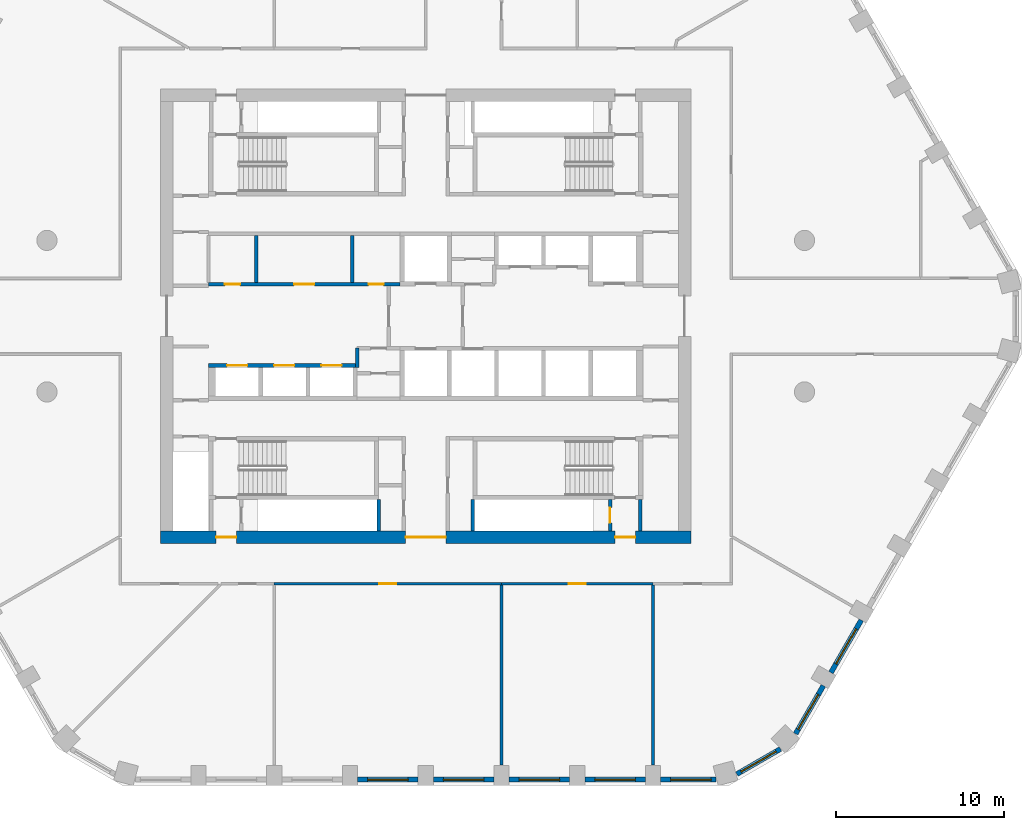
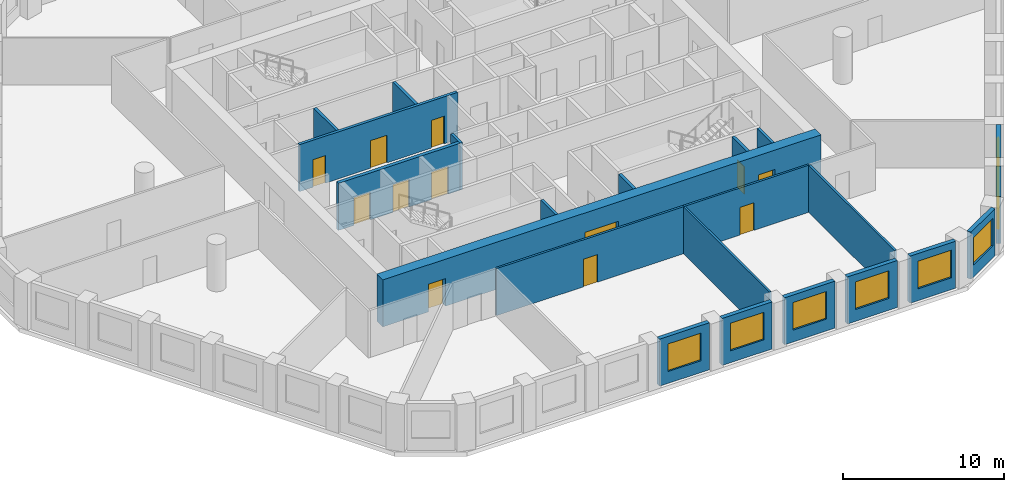
# One storey, part 3 of 9: 22 walls, 12 doors, 8 windows, 20 openings.
"""IFC4 building model written with IfcOpenShell, lengths in metres."""

from ifc_helpers import new_model, si_unit, direction, frame, frame_2d, origin, place, context, subcontext, project, spatial, rectangle, extrude, material, layer, layer_set, type_object, element, fill, save


model = new_model("IFC4")

# Units and contexts
model_context = context("Model", 3, precision=1e-05, world=origin(), true_north=direction((0.0, 1.0)))
body_context = subcontext(model_context, "Body", "Model", "MODEL_VIEW")
ifc_project = project(units=[si_unit("LENGTHUNIT", "METRE"), si_unit("AREAUNIT", "SQUARE_METRE"), si_unit("VOLUMEUNIT", "CUBIC_METRE"), si_unit("PLANEANGLEUNIT", "RADIAN"), si_unit("MASSUNIT", "GRAM", prefix="KILO")], contexts=[model_context])

# Site, building, storey
site_placement = place(None, origin())
site = spatial("IfcSite", under=ifc_project, at=site_placement, CompositionType="ELEMENT")
building_placement = place(site_placement, origin())
building = spatial("IfcBuilding", under=site, at=building_placement, Name="Dhurran Vertical Campus", CompositionType="ELEMENT")
storey_placement = place(building_placement, frame((0.0, 0.0, 163.800048828125)))
storey = spatial("IfcBuildingStorey", under=building, at=storey_placement, Name="L40", CompositionType="ELEMENT", Elevation=163.800048828125)

# Wall, opening, window
ifc_material_1 = material(Name="Precast concrete C50/60", Category="concrete")
ifc_layer_1 = layer(ifc_material_1, 0.300048828125)
ifc_layer_set_1 = layer_set([ifc_layer_1], Name="Precast concrete C50/60")
wall_type_1 = type_object("IfcWallType", Name="Precast spandrel wall 300", PredefinedType="SOLIDWALL", material=ifc_layer_set_1)
wall_1_placement = place(storey_placement, frame((-4.049560546875, -27.53271484375, 0.0), z_axis=(0.0, 0.0, 1.0), x_axis=(1.0, 0.0, 0.0)))
wall_1 = element("IfcWall", 1, at=wall_1_placement, inside=storey, type_object=wall_type_1, Name="EW1 L40.03", PredefinedType="SOLIDWALL", context=body_context, shape_type="SweptSolid", body=[
    extrude(rectangle(XDim=3.59912109375, YDim=0.300048828125, at=frame_2d((1.799560546875, 0.0))), origin(), (0.0, 0.0, 1.0), 3.574951171875),
])
opening_1_placement = place(wall_1_placement, frame((0.599609375, 0.0, 0.89990234375)))
opening_1 = element("IfcOpeningElement", 2, at=opening_1_placement, cuts=wall_1, Name="Opening WT1", PredefinedType="OPENING", context=body_context, shape_type="SweptSolid", body=[
    extrude(rectangle(XDim=2.39990234375, YDim=2.10009765625, at=frame_2d((1.199951171875, 1.050048828125))), frame((0.0, 0.159912109375, 0.0), z_axis=(0.0, -1.0, 0.0), x_axis=(1.0, 0.0, 0.0)), (0.0, 0.0, 1.0), 0.320068359375),
])
ifc_material_2 = material(Name="Aluminium frame with solar-control glass", Category="aluminium")
window_type = type_object("IfcWindowType", Name="Punched window 2400 x 2100", PartitioningType="SINGLE_PANEL", PredefinedType="WINDOW", material=ifc_material_2)
window_1_placement = place(opening_1_placement, origin())
window_1 = element("IfcWindow", 3, at=window_1_placement, inside=storey, type_object=window_type, Name="WT1 L40.03", OverallHeight=2.10009765625, OverallWidth=2.39990234375, PartitioningType="SINGLE_PANEL", PredefinedType="WINDOW", context=body_context, shape_type="SweptSolid", body=[
    extrude(rectangle(XDim=2.39990234375, YDim=2.10009765625, at=frame_2d((1.199951171875, 1.050048828125))), frame((0.0, 0.030029296875, 0.0), z_axis=(0.0, -1.0, 0.0), x_axis=(1.0, 0.0, 0.0)), (0.0, 0.0, 1.0), 0.06005859375),
])
fill(opening_1, window_1)

wall_2_placement = place(storey_placement, frame((0.450439453125, -27.53271484375, 0.0), z_axis=(0.0, 0.0, 1.0), x_axis=(1.0, 0.0, 0.0)))
wall_2 = element("IfcWall", 4, at=wall_2_placement, inside=storey, type_object=wall_type_1, Name="EW1 L40.04", PredefinedType="SOLIDWALL", context=body_context, shape_type="SweptSolid", body=[
    extrude(rectangle(XDim=3.59912109375, YDim=0.300048828125, at=frame_2d((1.799560546875, 0.0))), origin(), (0.0, 0.0, 1.0), 3.574951171875),
])
opening_2_placement = place(wall_2_placement, frame((0.599609375, 0.0, 0.89990234375)))
opening_2 = element("IfcOpeningElement", 5, at=opening_2_placement, cuts=wall_2, Name="Opening WT1", PredefinedType="OPENING", context=body_context, shape_type="SweptSolid", body=[
    extrude(rectangle(XDim=2.39990234375, YDim=2.10009765625, at=frame_2d((1.199951171875, 1.050048828125))), frame((0.0, 0.159912109375, 0.0), z_axis=(0.0, -1.0, 0.0), x_axis=(1.0, 0.0, 0.0)), (0.0, 0.0, 1.0), 0.320068359375),
])
window_2_placement = place(opening_2_placement, origin())
window_2 = element("IfcWindow", 6, at=window_2_placement, inside=storey, type_object=window_type, Name="WT1 L40.04", OverallHeight=2.10009765625, OverallWidth=2.39990234375, PartitioningType="SINGLE_PANEL", PredefinedType="WINDOW", context=body_context, shape_type="SweptSolid", body=[
    extrude(rectangle(XDim=2.39990234375, YDim=2.10009765625, at=frame_2d((1.199951171875, 1.050048828125))), frame((0.0, 0.030029296875, 0.0), z_axis=(0.0, -1.0, 0.0), x_axis=(1.0, 0.0, 0.0)), (0.0, 0.0, 1.0), 0.06005859375),
])
fill(opening_2, window_2)

wall_3_placement = place(storey_placement, frame((4.950439453125, -27.53271484375, 0.0), z_axis=(0.0, 0.0, 1.0), x_axis=(1.0, 0.0, 0.0)))
wall_3 = element("IfcWall", 7, at=wall_3_placement, inside=storey, type_object=wall_type_1, Name="EW1 L40.05", PredefinedType="SOLIDWALL", context=body_context, shape_type="SweptSolid", body=[
    extrude(rectangle(XDim=3.59912109375, YDim=0.300048828125, at=frame_2d((1.799560546875, 0.0))), origin(), (0.0, 0.0, 1.0), 3.574951171875),
])
opening_3_placement = place(wall_3_placement, frame((0.599609375, 0.0, 0.89990234375)))
opening_3 = element("IfcOpeningElement", 8, at=opening_3_placement, cuts=wall_3, Name="Opening WT1", PredefinedType="OPENING", context=body_context, shape_type="SweptSolid", body=[
    extrude(rectangle(XDim=2.39990234375, YDim=2.10009765625, at=frame_2d((1.199951171875, 1.050048828125))), frame((0.0, 0.159912109375, 0.0), z_axis=(0.0, -1.0, 0.0), x_axis=(1.0, 0.0, 0.0)), (0.0, 0.0, 1.0), 0.320068359375),
])
window_3_placement = place(opening_3_placement, origin())
window_3 = element("IfcWindow", 9, at=window_3_placement, inside=storey, type_object=window_type, Name="WT1 L40.05", OverallHeight=2.10009765625, OverallWidth=2.39990234375, PartitioningType="SINGLE_PANEL", PredefinedType="WINDOW", context=body_context, shape_type="SweptSolid", body=[
    extrude(rectangle(XDim=2.39990234375, YDim=2.10009765625, at=frame_2d((1.199951171875, 1.050048828125))), frame((0.0, 0.030029296875, 0.0), z_axis=(0.0, -1.0, 0.0), x_axis=(1.0, 0.0, 0.0)), (0.0, 0.0, 1.0), 0.06005859375),
])
fill(opening_3, window_3)

wall_4_placement = place(storey_placement, frame((9.450439453125, -27.53271484375, 0.0), z_axis=(0.0, 0.0, 1.0), x_axis=(1.0, 0.0, 0.0)))
wall_4 = element("IfcWall", 10, at=wall_4_placement, inside=storey, type_object=wall_type_1, Name="EW1 L40.06", PredefinedType="SOLIDWALL", context=body_context, shape_type="SweptSolid", body=[
    extrude(rectangle(XDim=3.59912109375, YDim=0.300048828125, at=frame_2d((1.799560546875, 0.0))), origin(), (0.0, 0.0, 1.0), 3.574951171875),
])
opening_4_placement = place(wall_4_placement, frame((0.599609375, 0.0, 0.89990234375)))
opening_4 = element("IfcOpeningElement", 11, at=opening_4_placement, cuts=wall_4, Name="Opening WT1", PredefinedType="OPENING", context=body_context, shape_type="SweptSolid", body=[
    extrude(rectangle(XDim=2.39990234375, YDim=2.10009765625, at=frame_2d((1.199951171875, 1.050048828125))), frame((0.0, 0.159912109375, 0.0), z_axis=(0.0, -1.0, 0.0), x_axis=(1.0, 0.0, 0.0)), (0.0, 0.0, 1.0), 0.320068359375),
])
window_4_placement = place(opening_4_placement, origin())
window_4 = element("IfcWindow", 12, at=window_4_placement, inside=storey, type_object=window_type, Name="WT1 L40.06", OverallHeight=2.10009765625, OverallWidth=2.39990234375, PartitioningType="SINGLE_PANEL", PredefinedType="WINDOW", context=body_context, shape_type="SweptSolid", body=[
    extrude(rectangle(XDim=2.39990234375, YDim=2.10009765625, at=frame_2d((1.199951171875, 1.050048828125))), frame((0.0, 0.030029296875, 0.0), z_axis=(0.0, -1.0, 0.0), x_axis=(1.0, 0.0, 0.0)), (0.0, 0.0, 1.0), 0.06005859375),
])
fill(opening_4, window_4)

wall_5_placement = place(storey_placement, frame((13.950439453125, -27.53271484375, 0.0), z_axis=(0.0, 0.0, 1.0), x_axis=(1.0, 0.0, 0.0)))
wall_5 = element("IfcWall", 13, at=wall_5_placement, inside=storey, type_object=wall_type_1, Name="EW1 L40.07", PredefinedType="SOLIDWALL", context=body_context, shape_type="SweptSolid", body=[
    extrude(rectangle(XDim=3.294189453125, YDim=0.300048828125, at=frame_2d((1.64697265625, 0.0))), origin(), (0.0, 0.0, 1.0), 3.574951171875),
])
opening_5_placement = place(wall_5_placement, frame((0.599609375, 0.0, 0.89990234375)))
opening_5 = element("IfcOpeningElement", 14, at=opening_5_placement, cuts=wall_5, Name="Opening WT1", PredefinedType="OPENING", context=body_context, shape_type="SweptSolid", body=[
    extrude(rectangle(XDim=2.39990234375, YDim=2.10009765625, at=frame_2d((1.199951171875, 1.050048828125))), frame((0.0, 0.159912109375, 0.0), z_axis=(0.0, -1.0, 0.0), x_axis=(1.0, 0.0, 0.0)), (0.0, 0.0, 1.0), 0.320068359375),
])
window_5_placement = place(opening_5_placement, origin())
window_5 = element("IfcWindow", 15, at=window_5_placement, inside=storey, type_object=window_type, Name="WT1 L40.07", OverallHeight=2.10009765625, OverallWidth=2.39990234375, PartitioningType="SINGLE_PANEL", PredefinedType="WINDOW", context=body_context, shape_type="SweptSolid", body=[
    extrude(rectangle(XDim=2.39990234375, YDim=2.10009765625, at=frame_2d((1.199951171875, 1.050048828125))), frame((0.0, 0.030029296875, 0.0), z_axis=(0.0, -1.0, 0.0), x_axis=(1.0, 0.0, 0.0)), (0.0, 0.0, 1.0), 0.06005859375),
])
fill(opening_5, window_5)

wall_6_placement = place(storey_placement, frame((18.479248046875, -27.201904296875, 0.0), z_axis=(0.0, 0.0, 1.0), x_axis=(0.866012844897, 0.500021752, 0.0)))
wall_6 = element("IfcWall", 16, at=wall_6_placement, inside=storey, type_object=wall_type_1, Name="EW1 L40.08", PredefinedType="SOLIDWALL", context=body_context, shape_type="SweptSolid", body=[
    extrude(rectangle(XDim=2.989013671875, YDim=0.300048828125, at=frame_2d((1.49462890625, 0.0))), origin(), (0.0, 0.0, 1.0), 3.574951171875),
])
opening_6_placement = place(wall_6_placement, frame((0.294677734375, 0.0, 0.89990234375)))
opening_6 = element("IfcOpeningElement", 17, at=opening_6_placement, cuts=wall_6, Name="Opening WT1", PredefinedType="OPENING", context=body_context, shape_type="SweptSolid", body=[
    extrude(rectangle(XDim=2.39990234375, YDim=2.10009765625, at=frame_2d((1.199951171875, 1.050048828125))), frame((0.0, 0.159912109375, 0.0), z_axis=(0.0, -1.0, 0.0), x_axis=(1.0, 0.0, 0.0)), (0.0, 0.0, 1.0), 0.320068359375),
])
window_6_placement = place(opening_6_placement, origin())
window_6 = element("IfcWindow", 18, at=window_6_placement, inside=storey, type_object=window_type, Name="WT1 L40.08", OverallHeight=2.10009765625, OverallWidth=2.39990234375, PartitioningType="SINGLE_PANEL", PredefinedType="WINDOW", context=body_context, shape_type="SweptSolid", body=[
    extrude(rectangle(XDim=2.39990234375, YDim=2.10009765625, at=frame_2d((1.199951171875, 1.050048828125))), frame((0.0, 0.030029296875, 0.0), z_axis=(0.0, -1.0, 0.0), x_axis=(1.0, 0.0, 0.0)), (0.0, 0.0, 1.0), 0.06005859375),
])
fill(opening_6, window_6)

wall_7_placement = place(storey_placement, frame((21.9716796875, -24.803466796875, 0.0), z_axis=(0.0, 0.0, 1.0), x_axis=(0.500036802197, 0.866004154983, 0.0)))
wall_7 = element("IfcWall", 19, at=wall_7_placement, inside=storey, type_object=wall_type_1, Name="EW1 L40.09", PredefinedType="SOLIDWALL", context=body_context, shape_type="SweptSolid", body=[
    extrude(rectangle(XDim=3.294189453125, YDim=0.300048828125, at=frame_2d((1.64697265625, 0.0))), origin(), (0.0, 0.0, 1.0), 3.574951171875),
])
opening_7_placement = place(wall_7_placement, frame((0.29443359375, 0.0, 0.89990234375)))
opening_7 = element("IfcOpeningElement", 20, at=opening_7_placement, cuts=wall_7, Name="Opening WT1", PredefinedType="OPENING", context=body_context, shape_type="SweptSolid", body=[
    extrude(rectangle(XDim=2.39990234375, YDim=2.10009765625, at=frame_2d((1.199951171875, 1.050048828125))), frame((0.0, 0.159912109375, 0.0), z_axis=(0.0, -1.0, 0.0), x_axis=(1.0, 0.0, 0.0)), (0.0, 0.0, 1.0), 0.320068359375),
])
window_7_placement = place(opening_7_placement, origin())
window_7 = element("IfcWindow", 21, at=window_7_placement, inside=storey, type_object=window_type, Name="WT1 L40.09", OverallHeight=2.10009765625, OverallWidth=2.39990234375, PartitioningType="SINGLE_PANEL", PredefinedType="WINDOW", context=body_context, shape_type="SweptSolid", body=[
    extrude(rectangle(XDim=2.39990234375, YDim=2.10009765625, at=frame_2d((1.199951171875, 1.050048828125))), frame((0.0, 0.030029296875, 0.0), z_axis=(0.0, -1.0, 0.0), x_axis=(1.0, 0.0, 0.0)), (0.0, 0.0, 1.0), 0.06005859375),
])
fill(opening_7, window_7)

wall_8_placement = place(storey_placement, frame((24.0693359375, -21.17041015625, 0.0), z_axis=(0.0, 0.0, 1.0), x_axis=(0.500027802648, 0.866009351323, 0.0)))
wall_8 = element("IfcWall", 22, at=wall_8_placement, inside=storey, type_object=wall_type_1, Name="EW1 L40.10", PredefinedType="SOLIDWALL", context=body_context, shape_type="SweptSolid", body=[
    extrude(rectangle(XDim=3.598876953125, YDim=0.300048828125, at=frame_2d((1.79931640625, 0.0))), origin(), (0.0, 0.0, 1.0), 3.574951171875),
])
opening_8_placement = place(wall_8_placement, frame((0.599609375, 0.0, 0.89990234375)))
opening_8 = element("IfcOpeningElement", 23, at=opening_8_placement, cuts=wall_8, Name="Opening WT1", PredefinedType="OPENING", context=body_context, shape_type="SweptSolid", body=[
    extrude(rectangle(XDim=2.39990234375, YDim=2.10009765625, at=frame_2d((1.199951171875, 1.050048828125))), frame((0.0, 0.159912109375, 0.0), z_axis=(0.0, -1.0, 0.0), x_axis=(1.0, 0.0, 0.0)), (0.0, 0.0, 1.0), 0.320068359375),
])
window_8_placement = place(opening_8_placement, origin())
window_8 = element("IfcWindow", 24, at=window_8_placement, inside=storey, type_object=window_type, Name="WT1 L40.10", OverallHeight=2.10009765625, OverallWidth=2.39990234375, PartitioningType="SINGLE_PANEL", PredefinedType="WINDOW", context=body_context, shape_type="SweptSolid", body=[
    extrude(rectangle(XDim=2.39990234375, YDim=2.10009765625, at=frame_2d((1.199951171875, 1.050048828125))), frame((0.0, 0.030029296875, 0.0), z_axis=(0.0, -1.0, 0.0), x_axis=(1.0, 0.0, 0.0)), (0.0, 0.0, 1.0), 0.06005859375),
])
fill(opening_8, window_8)

# Wall, openings, doors
ifc_material_3 = material(Name="Concrete C60/75", Category="concrete")
ifc_layer_2 = layer(ifc_material_3, 0.75)
ifc_layer_set_2 = layer_set([ifc_layer_2], Name="Concrete C60/75")
wall_type_2 = type_object("IfcWallType", Name="co-CORE-WALL-C1-750", PredefinedType="SHEAR", material=ifc_layer_set_2)
wall_9_placement = place(storey_placement, frame((-15.75, -13.125, 0.0), z_axis=(0.0, 0.0, 1.0), x_axis=(1.0, 0.0, 0.0)))
wall_9 = element("IfcWall", 25, at=wall_9_placement, inside=storey, type_object=wall_type_2, Name="Core wall S L40", PredefinedType="SHEAR", context=body_context, shape_type="SweptSolid", body=[
    extrude(rectangle(XDim=31.5, YDim=0.75, at=frame_2d((15.75, 0.0))), origin(), (0.0, 0.0, 1.0), 3.574951171875),
])
opening_9_placement = place(wall_9_placement, frame((14.550048828125, 0.0, 0.0)))
opening_9 = element("IfcOpeningElement", 26, at=opening_9_placement, cuts=wall_9, Name="Opening CV2", PredefinedType="OPENING", context=body_context, shape_type="SweptSolid", body=[
    extrude(rectangle(XDim=2.39990234375, YDim=2.10009765625, at=frame_2d((1.199951171875, 1.050048828125))), frame((0.0, 0.385009765625, 0.0), z_axis=(0.0, -1.0, 0.0), x_axis=(1.0, 0.0, 0.0)), (0.0, 0.0, 1.0), 0.77001953125),
])
opening_10_placement = place(wall_9_placement, frame((3.300048828125, 0.0, 0.0)))
opening_10 = element("IfcOpeningElement", 27, at=opening_10_placement, cuts=wall_9, Name="Opening XD3", PredefinedType="OPENING", context=body_context, shape_type="SweptSolid", body=[
    extrude(rectangle(XDim=1.199951171875, YDim=2.10009765625, at=frame_2d((0.60009765625, 1.050048828125))), frame((0.0, 0.385009765625, 0.0), z_axis=(0.0, -1.0, 0.0), x_axis=(1.0, 0.0, 0.0)), (0.0, 0.0, 1.0), 0.77001953125),
])
opening_11_placement = place(wall_9_placement, frame((27.0, 0.0, 0.0)))
opening_11 = element("IfcOpeningElement", 28, at=opening_11_placement, cuts=wall_9, Name="Opening XD4", PredefinedType="OPENING", context=body_context, shape_type="SweptSolid", body=[
    extrude(rectangle(XDim=1.199951171875, YDim=2.10009765625, at=frame_2d((0.60009765625, 1.050048828125))), frame((0.0, 0.385009765625, 0.0), z_axis=(0.0, -1.0, 0.0), x_axis=(1.0, 0.0, 0.0)), (0.0, 0.0, 1.0), 0.77001953125),
])
ifc_material_4 = material(Name="Fire-rated glazed door set")
door_type_1 = type_object("IfcDoorType", Name="co-D-LOBBY 2400x2100", OperationType="DOUBLE_DOOR_DOUBLE_SWING", PredefinedType="DOOR", material=ifc_material_4)
door_1_placement = place(opening_9_placement, origin())
door_1 = element("IfcDoor", 29, at=door_1_placement, inside=storey, type_object=door_type_1, Name="Core vestibule door S L40", OperationType="DOUBLE_DOOR_DOUBLE_SWING", OverallHeight=2.10009765625, OverallWidth=2.39990234375, PredefinedType="DOOR", context=body_context, shape_type="SweptSolid", body=[
    extrude(rectangle(XDim=2.39990234375, YDim=2.10009765625, at=frame_2d((1.199951171875, 1.050048828125))), frame((0.0, 0.02490234375, 0.0), z_axis=(0.0, -1.0, 0.0), x_axis=(1.0, 0.0, 0.0)), (0.0, 0.0, 1.0), 0.050048828125),
])
fill(opening_9, door_1)
ifc_material_5 = material(Name="Fire-rated steel door set", Category="steel")
door_type_2 = type_object("IfcDoorType", Name="co-D-STAIR-EXIT 1200x2100", OperationType="SINGLE_SWING_RIGHT", PredefinedType="DOOR", material=ifc_material_5)
door_2_placement = place(opening_10_placement, origin())
door_2 = element("IfcDoor", 30, at=door_2_placement, inside=storey, type_object=door_type_2, Name="Stair ST3 exit door L40", OperationType="SINGLE_SWING_RIGHT", OverallHeight=2.10009765625, OverallWidth=1.199951171875, PredefinedType="DOOR", context=body_context, shape_type="SweptSolid", body=[
    extrude(rectangle(XDim=1.199951171875, YDim=2.10009765625, at=frame_2d((0.60009765625, 1.050048828125))), frame((0.0, 0.02490234375, 0.0), z_axis=(0.0, -1.0, 0.0), x_axis=(1.0, 0.0, 0.0)), (0.0, 0.0, 1.0), 0.050048828125),
])
fill(opening_10, door_2)
door_3_placement = place(opening_11_placement, origin())
door_3 = element("IfcDoor", 31, at=door_3_placement, inside=storey, type_object=door_type_2, Name="Stair ST4 exit door L40", OperationType="SINGLE_SWING_RIGHT", OverallHeight=2.10009765625, OverallWidth=1.199951171875, PredefinedType="DOOR", context=body_context, shape_type="SweptSolid", body=[
    extrude(rectangle(XDim=1.199951171875, YDim=2.10009765625, at=frame_2d((0.60009765625, 1.050048828125))), frame((0.0, 0.02490234375, 0.0), z_axis=(0.0, -1.0, 0.0), x_axis=(1.0, 0.0, 0.0)), (0.0, 0.0, 1.0), 0.050048828125),
])
fill(opening_11, door_3)

# Wall
ifc_material_6 = material(Name="Fire-rated masonry blockwork", Category="masonry")
ifc_layer_3 = layer(ifc_material_6, 0.199951171875)
ifc_layer_set_3 = layer_set([ifc_layer_3], Name="Fire-rated masonry blockwork")
wall_type_3 = type_object("IfcWallType", Name="co-FIRE-PARTITION-200", PredefinedType="PARTITIONING", material=ifc_layer_set_3)
wall_10_placement = place(storey_placement, frame((12.75, -12.75, 0.0), z_axis=(0.0, 0.0, 1.0), x_axis=(0.0, 1.0, 0.0)))
element("IfcWall", 32, at=wall_10_placement, inside=storey, type_object=wall_type_3, Name="Core partition pass-ST4-o L40", PredefinedType="PARTITIONING", context=body_context, shape_type="SweptSolid", body=[
    extrude(rectangle(XDim=1.85009765625, YDim=0.199951171875, at=frame_2d((0.925048828125, 0.0))), origin(), (0.0, 0.0, 1.0), 3.574951171875),
])

# Wall, opening, door
wall_11_placement = place(storey_placement, frame((10.949951171875, -12.75, 0.0), z_axis=(0.0, 0.0, 1.0), x_axis=(0.0, 1.0, 0.0)))
wall_11 = element("IfcWall", 33, at=wall_11_placement, inside=storey, type_object=wall_type_3, Name="Core partition pass-ST4-i L40", PredefinedType="PARTITIONING", context=body_context, shape_type="SweptSolid", body=[
    extrude(rectangle(XDim=1.85009765625, YDim=0.199951171875, at=frame_2d((0.925048828125, 0.0))), origin(), (0.0, 0.0, 1.0), 3.574951171875),
])
opening_12_placement = place(wall_11_placement, frame((0.47509765625, 0.0, 0.0)))
opening_12 = element("IfcOpeningElement", 34, at=opening_12_placement, cuts=wall_11, Name="Opening T11-C11", PredefinedType="OPENING", context=body_context, shape_type="SweptSolid", body=[
    extrude(rectangle(XDim=0.89990234375, YDim=2.10009765625, at=frame_2d((0.449951171875, 1.050048828125))), frame((0.0, 0.10986328125, 0.0), z_axis=(0.0, -1.0, 0.0), x_axis=(1.0, 0.0, 0.0)), (0.0, 0.0, 1.0), 0.219970703125),
])
ifc_material_7 = material(Name="Fire-rated timber door set", Category="wood")
door_type_3 = type_object("IfcDoorType", Name="co-D-ROOM 900x2100", OperationType="SINGLE_SWING_LEFT", PredefinedType="DOOR", material=ifc_material_7)
door_4_placement = place(opening_12_placement, origin())
door_4 = element("IfcDoor", 35, at=door_4_placement, inside=storey, type_object=door_type_3, Name="Riser room door L40", OperationType="SINGLE_SWING_LEFT", OverallHeight=2.10009765625, OverallWidth=0.89990234375, PredefinedType="DOOR", context=body_context, shape_type="SweptSolid", body=[
    extrude(rectangle(XDim=0.89990234375, YDim=2.10009765625, at=frame_2d((0.449951171875, 1.050048828125))), frame((0.0, 0.02490234375, 0.0), z_axis=(0.0, -1.0, 0.0), x_axis=(1.0, 0.0, 0.0)), (0.0, 0.0, 1.0), 0.050048828125),
])
fill(opening_12, door_4)

# Walls
for number, where, z_axis, x_axis, name in (
    (36, (-10.056396484375, 2.0, 0.0), (0.0, 0.0, 1.0), (0.0, 1.0, 0.0), "Core partition fr-N0-cut0 L40"),
    (37, (-4.368896484375, 2.0, 0.0), (0.0, 0.0, 1.0), (0.0, 1.0, 0.0), "Core partition fr-N0-cut1 L40"),
):
    element("IfcWall", number, at=place(storey_placement, frame(where, z_axis=z_axis, x_axis=x_axis)), inside=storey, type_object=wall_type_3, Name=name, PredefinedType="PARTITIONING", context=body_context, shape_type="SweptSolid", body=[
        extrude(rectangle(XDim=2.800048828125, YDim=0.199951171875, at=frame_2d((1.39990234375, 0.0))), origin(), (0.0, 0.0, 1.0), 3.574951171875),
    ])

# Wall, openings, doors
wall_12_placement = place(storey_placement, frame((-12.89990234375, 1.89990234375, 0.0), z_axis=(0.0, 0.0, 1.0), x_axis=(1.0, 0.0, 0.0)))
wall_12 = element("IfcWall", 38, at=wall_12_placement, inside=storey, type_object=wall_type_3, Name="Core partition fr-N0-f L40", PredefinedType="PARTITIONING", context=body_context, shape_type="SweptSolid", body=[
    extrude(rectangle(XDim=11.375, YDim=0.199951171875, at=frame_2d((5.6875, 0.0))), origin(), (0.0, 0.0, 1.0), 3.574951171875),
])
opening_13_placement = place(wall_12_placement, frame((0.971923828125, 0.0, 0.0)))
opening_13 = element("IfcOpeningElement", 39, at=opening_13_placement, cuts=wall_12, Name="Opening T11-C20", PredefinedType="OPENING", context=body_context, shape_type="SweptSolid", body=[
    extrude(rectangle(XDim=0.89990234375, YDim=2.10009765625, at=frame_2d((0.449951171875, 1.050048828125))), frame((0.0, 0.10986328125, 0.0), z_axis=(0.0, -1.0, 0.0), x_axis=(1.0, 0.0, 0.0)), (0.0, 0.0, 1.0), 0.219970703125),
])
opening_14_placement = place(wall_12_placement, frame((5.08740234375, 0.0, 0.0)))
opening_14 = element("IfcOpeningElement", 40, at=opening_14_placement, cuts=wall_12, Name="Opening T11-C21", PredefinedType="OPENING", context=body_context, shape_type="SweptSolid", body=[
    extrude(rectangle(XDim=1.199951171875, YDim=2.10009765625, at=frame_2d((0.60009765625, 1.050048828125))), frame((0.0, 0.10986328125, 0.0), z_axis=(0.0, -1.0, 0.0), x_axis=(1.0, 0.0, 0.0)), (0.0, 0.0, 1.0), 0.219970703125),
])
opening_15_placement = place(wall_12_placement, frame((9.503173828125, 0.0, 0.0)))
opening_15 = element("IfcOpeningElement", 41, at=opening_15_placement, cuts=wall_12, Name="Opening T11-C22", PredefinedType="OPENING", context=body_context, shape_type="SweptSolid", body=[
    extrude(rectangle(XDim=0.89990234375, YDim=2.10009765625, at=frame_2d((0.449951171875, 1.050048828125))), frame((0.0, 0.10986328125, 0.0), z_axis=(0.0, -1.0, 0.0), x_axis=(1.0, 0.0, 0.0)), (0.0, 0.0, 1.0), 0.219970703125),
])
door_5_placement = place(opening_13_placement, origin())
door_5 = element("IfcDoor", 42, at=door_5_placement, inside=storey, type_object=door_type_3, Name="Plant room door L40", OperationType="SINGLE_SWING_LEFT", OverallHeight=2.10009765625, OverallWidth=0.89990234375, PredefinedType="DOOR", context=body_context, shape_type="SweptSolid", body=[
    extrude(rectangle(XDim=0.89990234375, YDim=2.10009765625, at=frame_2d((0.449951171875, 1.050048828125))), frame((0.0, 0.02490234375, 0.0), z_axis=(0.0, -1.0, 0.0), x_axis=(1.0, 0.0, 0.0)), (0.0, 0.0, 1.0), 0.050048828125),
])
fill(opening_13, door_5)
door_6_placement = place(opening_15_placement, origin())
door_6 = element("IfcDoor", 43, at=door_6_placement, inside=storey, type_object=door_type_3, Name="Plant room door L40", OperationType="SINGLE_SWING_LEFT", OverallHeight=2.10009765625, OverallWidth=0.89990234375, PredefinedType="DOOR", context=body_context, shape_type="SweptSolid", body=[
    extrude(rectangle(XDim=0.89990234375, YDim=2.10009765625, at=frame_2d((0.449951171875, 1.050048828125))), frame((0.0, 0.02490234375, 0.0), z_axis=(0.0, -1.0, 0.0), x_axis=(1.0, 0.0, 0.0)), (0.0, 0.0, 1.0), 0.050048828125),
])
fill(opening_15, door_6)
ifc_material_8 = material(Name="Fire-rated steel door set", Category="steel")
door_type_4 = type_object("IfcDoorType", Name="co-D-ROOM-PASSAGE 1200x2100", OperationType="SINGLE_SWING_RIGHT", PredefinedType="DOOR", material=ifc_material_8)
door_7_placement = place(opening_14_placement, origin())
door_7 = element("IfcDoor", 44, at=door_7_placement, inside=storey, type_object=door_type_4, Name="Pantry door L40", OperationType="SINGLE_SWING_RIGHT", OverallHeight=2.10009765625, OverallWidth=1.199951171875, PredefinedType="DOOR", context=body_context, shape_type="SweptSolid", body=[
    extrude(rectangle(XDim=1.199951171875, YDim=2.10009765625, at=frame_2d((0.60009765625, 1.050048828125))), frame((0.0, 0.02490234375, 0.0), z_axis=(0.0, -1.0, 0.0), x_axis=(1.0, 0.0, 0.0)), (0.0, 0.0, 1.0), 0.050048828125),
])
fill(opening_14, door_7)

# Walls
wall_13_placement = place(storey_placement, frame((-4.074951171875, -1.89990234375, 0.0), z_axis=(0.0, 0.0, 1.0), x_axis=(0.0, -1.0, 0.0)))
element("IfcWall", 45, at=wall_13_placement, inside=storey, type_object=wall_type_3, Name="Core partition fr-S0-n0 L40", PredefinedType="PARTITIONING", context=body_context, shape_type="SweptSolid", body=[
    extrude(rectangle(XDim=1.150146484375, YDim=0.199951171875, at=frame_2d((0.5751953125, 0.0))), origin(), (0.0, 0.0, 1.0), 3.574951171875),
])
for number, where, z_axis, x_axis, name in (
    (46, (-2.800048828125, -12.7490234375, 0.0), (0.0, 0.0, 1.0), (0.0, 1.0, 0.0), "Riser enclosure wall L40"),
    (47, (2.800048828125, -10.90087890625, 0.0), (0.0, 0.0, 1.0), (0.0, -1.0, 0.0), "Riser enclosure wall L40"),
):
    element("IfcWall", number, at=place(storey_placement, frame(where, z_axis=z_axis, x_axis=x_axis)), inside=storey, type_object=wall_type_3, Name=name, PredefinedType="PARTITIONING", context=body_context, shape_type="SweptSolid", body=[
        extrude(rectangle(XDim=1.84814453125, YDim=0.199951171875, at=frame_2d((0.924072265625, 0.0))), origin(), (0.0, 0.0, 1.0), 3.574951171875),
    ])

# Wall, openings, doors
ifc_material_9 = material(Name="Concrete C50/60", Category="concrete")
ifc_layer_4 = layer(ifc_material_9, 0.25)
ifc_layer_set_4 = layer_set([ifc_layer_4], Name="Concrete C50/60")
wall_type_4 = type_object("IfcWallType", Name="co-SHAFT-FRONT-250", PredefinedType="SHEAR", material=ifc_layer_set_4)
wall_14_placement = place(storey_placement, frame((-12.89990234375, -2.925048828125, 0.0), z_axis=(0.0, 0.0, 1.0), x_axis=(1.0, 0.0, 0.0)))
wall_14 = element("IfcWall", 48, at=wall_14_placement, inside=storey, type_object=wall_type_4, Name="Lift landing wall S L40", PredefinedType="SHEAR", context=body_context, shape_type="SweptSolid", body=[
    extrude(rectangle(XDim=8.824951171875, YDim=0.25, at=frame_2d((4.41259765625, 0.0))), origin(), (0.0, 0.0, 1.0), 3.574951171875),
])
opening_16_placement = place(wall_14_placement, frame((1.10009765625, 0.0, 0.0)))
opening_16 = element("IfcOpeningElement", 49, at=opening_16_placement, cuts=wall_14, Name="Opening LD", PredefinedType="OPENING", context=body_context, shape_type="SweptSolid", body=[
    extrude(rectangle(XDim=1.199951171875, YDim=2.10009765625, at=frame_2d((0.60009765625, 1.050048828125))), frame((0.0, 0.135009765625, 0.0), z_axis=(0.0, -1.0, 0.0), x_axis=(1.0, 0.0, 0.0)), (0.0, 0.0, 1.0), 0.27001953125),
])
opening_17_placement = place(wall_14_placement, frame((3.89990234375, 0.0, 0.0)))
opening_17 = element("IfcOpeningElement", 50, at=opening_17_placement, cuts=wall_14, Name="Opening LD", PredefinedType="OPENING", context=body_context, shape_type="SweptSolid", body=[
    extrude(rectangle(XDim=1.199951171875, YDim=2.10009765625, at=frame_2d((0.60009765625, 1.050048828125))), frame((0.0, 0.135009765625, 0.0), z_axis=(0.0, -1.0, 0.0), x_axis=(1.0, 0.0, 0.0)), (0.0, 0.0, 1.0), 0.27001953125),
])
opening_18_placement = place(wall_14_placement, frame((6.699951171875, 0.0, 0.0)))
opening_18 = element("IfcOpeningElement", 51, at=opening_18_placement, cuts=wall_14, Name="Opening LD", PredefinedType="OPENING", context=body_context, shape_type="SweptSolid", body=[
    extrude(rectangle(XDim=1.199951171875, YDim=2.10009765625, at=frame_2d((0.60009765625, 1.050048828125))), frame((0.0, 0.135009765625, 0.0), z_axis=(0.0, -1.0, 0.0), x_axis=(1.0, 0.0, 0.0)), (0.0, 0.0, 1.0), 0.27001953125),
])
ifc_material_10 = material(Name="Stainless steel landing door", Category="steel")
door_type_5 = type_object("IfcDoorType", Name="co-D-LANDING 1200x2100", OperationType="DOUBLE_DOOR_SLIDING", PredefinedType="DOOR", material=ifc_material_10)
door_8_placement = place(opening_16_placement, origin())
door_8 = element("IfcDoor", 52, at=door_8_placement, inside=storey, type_object=door_type_5, Name="Landing door MR3 L40", OperationType="DOUBLE_DOOR_SLIDING", OverallHeight=2.10009765625, OverallWidth=1.199951171875, PredefinedType="DOOR", context=body_context, shape_type="SweptSolid", body=[
    extrude(rectangle(XDim=1.199951171875, YDim=2.10009765625, at=frame_2d((0.60009765625, 1.050048828125))), frame((0.0, 0.02490234375, 0.0), z_axis=(0.0, -1.0, 0.0), x_axis=(1.0, 0.0, 0.0)), (0.0, 0.0, 1.0), 0.050048828125),
])
fill(opening_16, door_8)
door_9_placement = place(opening_17_placement, origin())
door_9 = element("IfcDoor", 53, at=door_9_placement, inside=storey, type_object=door_type_5, Name="Landing door MR4 L40", OperationType="DOUBLE_DOOR_SLIDING", OverallHeight=2.10009765625, OverallWidth=1.199951171875, PredefinedType="DOOR", context=body_context, shape_type="SweptSolid", body=[
    extrude(rectangle(XDim=1.199951171875, YDim=2.10009765625, at=frame_2d((0.60009765625, 1.050048828125))), frame((0.0, 0.02490234375, 0.0), z_axis=(0.0, -1.0, 0.0), x_axis=(1.0, 0.0, 0.0)), (0.0, 0.0, 1.0), 0.050048828125),
])
fill(opening_17, door_9)
door_10_placement = place(opening_18_placement, origin())
door_10 = element("IfcDoor", 54, at=door_10_placement, inside=storey, type_object=door_type_5, Name="Landing door MR5 L40", OperationType="DOUBLE_DOOR_SLIDING", OverallHeight=2.10009765625, OverallWidth=1.199951171875, PredefinedType="DOOR", context=body_context, shape_type="SweptSolid", body=[
    extrude(rectangle(XDim=1.199951171875, YDim=2.10009765625, at=frame_2d((0.60009765625, 1.050048828125))), frame((0.0, 0.02490234375, 0.0), z_axis=(0.0, -1.0, 0.0), x_axis=(1.0, 0.0, 0.0)), (0.0, 0.0, 1.0), 0.050048828125),
])
fill(opening_18, door_10)

# Wall, opening, door
ifc_material_11 = material(Name="Gypsum board corridor wall on steel studs", Category="steel")
ifc_layer_5 = layer(ifc_material_11, 0.14990234375)
ifc_layer_set_5 = layer_set([ifc_layer_5], Name="Gypsum board corridor wall on steel studs")
wall_type_5 = type_object("IfcWallType", Name="fl-CW-150 corridor wall", PredefinedType="PARTITIONING", material=ifc_layer_set_5)
wall_15_placement = place(storey_placement, frame((-9.0, -15.89990234375, 0.0), z_axis=(0.0, 0.0, 1.0), x_axis=(1.0, 0.0, 0.0)))
wall_15 = element("IfcWall", 55, at=wall_15_placement, inside=storey, type_object=wall_type_5, Name="Partition 40-14", PredefinedType="PARTITIONING", context=body_context, shape_type="SweptSolid", body=[
    extrude(rectangle(XDim=13.5, YDim=0.14990234375, at=frame_2d((6.75, 0.0))), origin(), (0.0, 0.0, 1.0), 3.574951171875),
])
opening_19_placement = place(wall_15_placement, frame((6.25, 0.0, 0.0)))
opening_19 = element("IfcOpeningElement", 56, at=opening_19_placement, cuts=wall_15, Name="Opening T11.09", PredefinedType="OPENING", context=body_context, shape_type="SweptSolid", body=[
    extrude(rectangle(XDim=1.0, YDim=2.10009765625, at=frame_2d((0.5, 1.050048828125))), frame((0.0, 0.0849609375, 0.0), z_axis=(0.0, -1.0, 0.0), x_axis=(1.0, 0.0, 0.0)), (0.0, 0.0, 1.0), 0.169921875),
])
ifc_material_12 = material(Name="Solid-core timber door set, fire-rated", Category="wood")
door_type_6 = type_object("IfcDoorType", Name="fl-D-1000x2100", OperationType="SINGLE_SWING_LEFT", PredefinedType="DOOR", material=ifc_material_12)
door_11_placement = place(opening_19_placement, origin())
door_11 = element("IfcDoor", 57, at=door_11_placement, inside=storey, type_object=door_type_6, Name="Door 40.09", OperationType="SINGLE_SWING_LEFT", OverallHeight=2.10009765625, OverallWidth=1.0, PredefinedType="DOOR", context=body_context, shape_type="SweptSolid", body=[
    extrude(rectangle(XDim=1.0, YDim=2.10009765625, at=frame_2d((0.5, 1.050048828125))), frame((0.0, 0.02490234375, 0.0), z_axis=(0.0, -1.0, 0.0), x_axis=(1.0, 0.0, 0.0)), (0.0, 0.0, 1.0), 0.050048828125),
])
fill(opening_19, door_11)

wall_16_placement = place(storey_placement, frame((4.5, -15.89990234375, 0.0), z_axis=(0.0, 0.0, 1.0), x_axis=(1.0, 0.0, 0.0)))
wall_16 = element("IfcWall", 58, at=wall_16_placement, inside=storey, type_object=wall_type_5, Name="Partition 40-25", PredefinedType="PARTITIONING", context=body_context, shape_type="SweptSolid", body=[
    extrude(rectangle(XDim=9.0, YDim=0.14990234375, at=frame_2d((4.5, 0.0))), origin(), (0.0, 0.0, 1.0), 3.574951171875),
])
opening_20_placement = place(wall_16_placement, frame((4.0, 0.0, 0.0)))
opening_20 = element("IfcOpeningElement", 59, at=opening_20_placement, cuts=wall_16, Name="Opening T11.12", PredefinedType="OPENING", context=body_context, shape_type="SweptSolid", body=[
    extrude(rectangle(XDim=1.0, YDim=2.10009765625, at=frame_2d((0.5, 1.050048828125))), frame((0.0, 0.0849609375, 0.0), z_axis=(0.0, -1.0, 0.0), x_axis=(1.0, 0.0, 0.0)), (0.0, 0.0, 1.0), 0.169921875),
])
door_12_placement = place(opening_20_placement, origin())
door_12 = element("IfcDoor", 60, at=door_12_placement, inside=storey, type_object=door_type_6, Name="Door 40.12", OperationType="SINGLE_SWING_LEFT", OverallHeight=2.10009765625, OverallWidth=1.0, PredefinedType="DOOR", context=body_context, shape_type="SweptSolid", body=[
    extrude(rectangle(XDim=1.0, YDim=2.10009765625, at=frame_2d((0.5, 1.050048828125))), frame((0.0, 0.02490234375, 0.0), z_axis=(0.0, -1.0, 0.0), x_axis=(1.0, 0.0, 0.0)), (0.0, 0.0, 1.0), 0.050048828125),
])
fill(opening_20, door_12)

# Walls
ifc_material_13 = material(Name="Folding acoustic partition panels")
ifc_layer_6 = layer(ifc_material_13, 0.14990234375)
ifc_layer_set_6 = layer_set([ifc_layer_6], Name="Folding acoustic partition panels")
wall_type_6 = type_object("IfcWallType", Name="fl-MW-150 movable partition", PredefinedType="MOVABLE", material=ifc_layer_set_6)
for number, where, z_axis, x_axis, name in (
    (61, (4.5, -15.97509765625, 0.0), (0.0, 0.0, 1.0), (0.0, -1.0, 0.0), "Partition 40-24"),
    (62, (13.5, -15.97509765625, 0.0), (0.0, 0.0, 1.0), (0.0, -1.0, 0.0), "Partition 40-33"),
):
    element("IfcWall", number, at=place(storey_placement, frame(where, z_axis=z_axis, x_axis=x_axis)), inside=storey, type_object=wall_type_6, Name=name, PredefinedType="MOVABLE", context=body_context, shape_type="SweptSolid", body=[
        extrude(rectangle(XDim=10.6875, YDim=0.14990234375, at=frame_2d((5.34375, 0.0))), origin(), (0.0, 0.0, 1.0), 3.574951171875),
    ])

save(model, "model.ifc")
